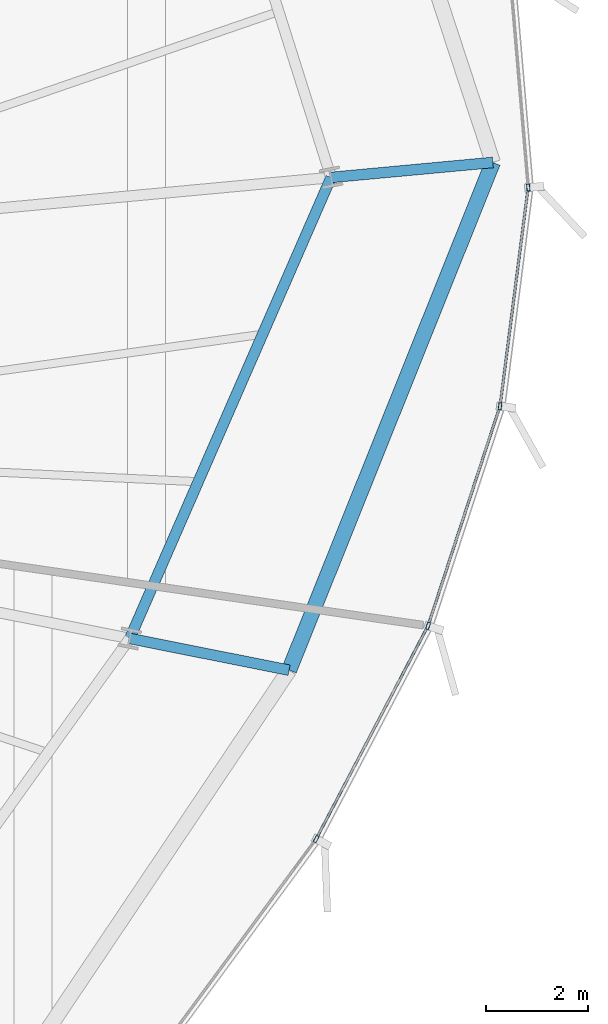
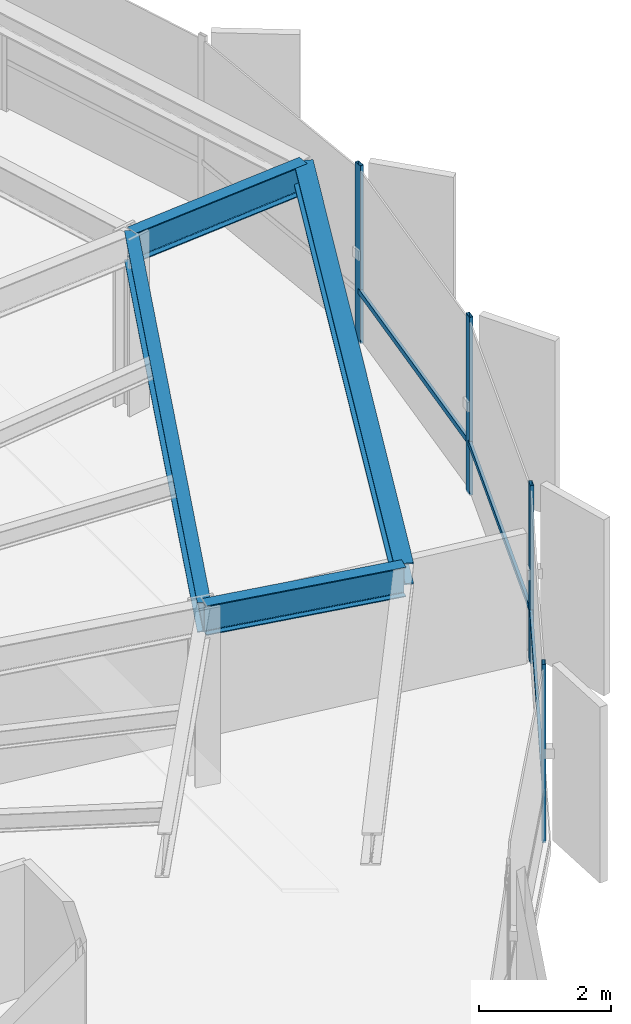
# One storey, part 16 of 35: 7 members, 4 beams, 1 element without a shape of its own.
"""IFC4 building model written with IfcOpenShell, lengths in metres."""

from ifc_helpers import new_model, si_unit, direction, frame, origin, origin_2d, place, context, subcontext, project, spatial, hollow_rectangle, i_section, extrude, source, transform, mapped, material, layer, layer_set, material_profile, profile_set, type_object, element, aggregate, save


model = new_model("IFC4")

# Units and contexts
model_context = context("Model", 3, precision=1e-05, world=origin(), true_north=direction((0.0, 1.0)))
body_context = subcontext(model_context, "Body", "Model", "MODEL_VIEW")
ifc_project = project(units=[si_unit("LENGTHUNIT", "METRE"), si_unit("AREAUNIT", "SQUARE_METRE"), si_unit("VOLUMEUNIT", "CUBIC_METRE"), si_unit("PLANEANGLEUNIT", "RADIAN"), si_unit("MASSUNIT", "GRAM", prefix="KILO"), si_unit("THERMODYNAMICTEMPERATUREUNIT", "KELVIN")], contexts=[model_context])

# Site, building, storey
site_placement = place(None, origin())
site = spatial("IfcSite", under=ifc_project, at=site_placement, CompositionType="ELEMENT")
building_placement = place(site_placement, origin())
building = spatial("IfcBuilding", under=site, at=building_placement, Name="Kethvar Cultural Tower", CompositionType="ELEMENT")
storey_placement = place(building_placement, frame((0.0, 0.0, 135.89990234375)))
storey = spatial("IfcBuildingStorey", under=building, at=storey_placement, Name="L34", CompositionType="ELEMENT", Elevation=135.89990234375)

# Beams
ifc_material_1 = material(Name="Steel S355J2", Category="steel")
ifc_material_profile_1 = material_profile(ifc_material_1, i_section(OverallWidth=0.2099609375, OverallDepth=0.550048828125, WebThickness=0.010986328125, FlangeThickness=0.01708984375, FilletRadius=0.02392578125, at=origin_2d()), Name="Steel S355J2 — IPE550")
ifc_profile_set_1 = profile_set([ifc_material_profile_1], Name="Steel S355J2 — IPE550")
beam_type_1 = type_object("IfcBeamType", Name="BM-IPE550", PredefinedType="BEAM", material=ifc_profile_set_1)
shared_shape_1 = source(origin(), body_context, "Body", "SweptSolid", [
    extrude(i_section(OverallWidth=0.2099609375, OverallDepth=0.550048828125, WebThickness=0.010986328125, FlangeThickness=0.01708984375, FilletRadius=0.02392578125, at=origin_2d()), origin(), (0.0, 0.0, 1.0), 3.199951171875),
])
for number, where, z_axis, x_axis, name in (
    (1, (71.6025390625, 32.7333984375, 3.023193359375), (0.995729641608, 0.092317283453, 0.0), (-0.092317283453, 0.995729641608, 0.0), "L34 Perimeter Cantilever Beam RC-01"),
    (2, (67.638671875, 23.65478515625, 3.023193359375), (0.980785550224, -0.195088965533, 0.0), (0.195088965533, 0.980785550224, 0.0), "L34 Perimeter Cantilever Beam RC-16"),
):
    element("IfcBeam", number, at=place(storey_placement, frame(where, z_axis=z_axis, x_axis=x_axis)), inside=storey, type_object=beam_type_1, Name=name, PredefinedType="BEAM", context=body_context, shape_type="MappedRepresentation", body=[
        mapped(shared_shape_1, transform((0.0, 0.0, 0.0), scale=1.0)),
    ])
shared_shape_2 = source(origin(), body_context, "Body", "SweptSolid", [
    extrude(i_section(OverallWidth=0.2099609375, OverallDepth=0.550048828125, WebThickness=0.010986328125, FlangeThickness=0.01708984375, FilletRadius=0.02392578125, at=origin_2d()), origin(), (0.0, 0.0, 1.0), 9.90625),
])
beam_1_placement = place(storey_placement, frame((67.638671875, 23.65478515625, 3.023193359375), z_axis=(0.400138679026, 0.916454602011, 0.0), x_axis=(-0.916454602011, 0.400138679026, 0.0)))
element("IfcBeam", 3, at=beam_1_placement, inside=storey, type_object=beam_type_1, Name="L34 Column Ring Tie Beam CR-16", PredefinedType="BEAM", context=body_context, shape_type="MappedRepresentation", body=[
    mapped(shared_shape_2, transform((0.0, 0.0, 0.0), scale=1.0)),
])
ifc_material_profile_2 = material_profile(ifc_material_1, i_section(OverallWidth=0.300048828125, OverallDepth=0.39990234375, WebThickness=0.013427734375, FlangeThickness=0.02392578125, FilletRadius=0.027099609375, at=origin_2d()), Name="Steel S355J2 — HEB400")
ifc_profile_set_2 = profile_set([ifc_material_profile_2], Name="Steel S355J2 — HEB400")
beam_type_2 = type_object("IfcBeamType", Name="BM-SP400", PredefinedType="SPANDREL", material=ifc_profile_set_2)
shared_shape_3 = source(origin(), body_context, "Body", "SweptSolid", [
    extrude(i_section(OverallWidth=0.300048828125, OverallDepth=0.39990234375, WebThickness=0.013427734375, FlangeThickness=0.02392578125, FilletRadius=0.027099609375, at=origin_2d()), origin(), (0.0, 0.0, 1.0), 10.773193359375),
])
beam_2_placement = place(storey_placement, frame((70.777099609375, 23.030517578125, 3.09814453125), z_axis=(0.372382905959, 0.928079183771, 0.0), x_axis=(-0.928079183771, 0.372382905959, 0.0)))
element("IfcBeam", 4, at=beam_2_placement, inside=storey, type_object=beam_type_2, Name="L34 Perimeter Spandrel Beam SP-16", PredefinedType="SPANDREL", context=body_context, shape_type="MappedRepresentation", body=[
    mapped(shared_shape_3, transform((0.0, 0.0, 0.0), scale=1.0)),
])

# Curtain wall, members
ifc_material_2 = material(Name="Aluminium 6063-T6", Category="aluminium")
ifc_layer = layer(ifc_material_2, 0.179931640625, Name="Aluminium 6063-T6", Category="aluminium")
ifc_layer_set = layer_set([ifc_layer], Name="Aluminium 6063-T6 (180 mm)")
curtain_wall_type = type_object("IfcCurtainWallType", Name="CW-SYS-04-Z34", PredefinedType="NOTDEFINED", material=ifc_layer_set)
curtain_wall_placement = place(storey_placement, origin())
curtain_wall = element("IfcCurtainWall", 5, at=curtain_wall_placement, inside=storey, type_object=curtain_wall_type, Name="L34 Curtain Wall Run 06", PredefinedType="NOTDEFINED")
ifc_material_profile_3 = material_profile(ifc_material_2, hollow_rectangle(XDim=0.06005859375, YDim=0.139892578125, WallThickness=0.0048828125, at=origin_2d()), Name="Aluminium 6063-T6 — RHS140x60x5")
ifc_profile_set_3 = profile_set([ifc_material_profile_3], Name="Aluminium 6063-T6 — RHS140x60x5")
member_type_1 = type_object("IfcMemberType", Name="CW-SYS-04-Z34-MUL", PredefinedType="MULLION", material=ifc_profile_set_3)
shared_shape_4 = source(origin(), body_context, "Body", "SweptSolid", [
    extrude(hollow_rectangle(XDim=0.06005859375, YDim=0.139892578125, WallThickness=0.0048828125, at=origin_2d()), origin(), (0.0, 0.0, 1.0), 3.300048828125),
])
member_1_placement = place(storey_placement, frame((71.309326171875, 19.70654296875, 0.0), z_axis=(0.0, 0.0, 1.0), x_axis=(-0.885523399618, 0.46459477906, 0.0)))
member_1 = element("IfcMember", 6, at=member_1_placement, type_object=member_type_1, Name="CW-L34-R06 Mullion 2", PredefinedType="MULLION", context=body_context, shape_type="MappedRepresentation", body=[
    mapped(shared_shape_4, transform((0.0, 0.0, 0.0), scale=1.0)),
])
member_2_placement = place(storey_placement, frame((73.512939453125, 23.903564453125, 0.0), z_axis=(0.0, 0.0, 1.0), x_axis=(-0.950439790681, 0.310908675161, 0.0)))
member_2 = element("IfcMember", 7, at=member_2_placement, type_object=member_type_1, Name="CW-L34-R06 Mullion 3", PredefinedType="MULLION", context=body_context, shape_type="MappedRepresentation", body=[
    mapped(shared_shape_4, transform((0.0, 0.0, 0.0), scale=1.0)),
])
member_3_placement = place(storey_placement, frame((74.9296875, 28.228515625, 0.0), z_axis=(0.0, 0.0, 1.0), x_axis=(-0.991854475119, 0.127376215155, 0.0)))
member_3 = element("IfcMember", 8, at=member_3_placement, type_object=member_type_1, Name="CW-L34-R06 Mullion 4", PredefinedType="MULLION", context=body_context, shape_type="MappedRepresentation", body=[
    mapped(shared_shape_4, transform((0.0, 0.0, 0.0), scale=1.0)),
])
member_4_placement = place(storey_placement, frame((75.4853515625, 32.534423828125, 0.0), z_axis=(0.0, 0.0, 1.0), x_axis=(-0.996373566732, -0.085086517835, 0.0)))
member_4 = element("IfcMember", 9, at=member_4_placement, type_object=member_type_1, Name="CW-L34-R06 Mullion 5", PredefinedType="MULLION", context=body_context, shape_type="MappedRepresentation", body=[
    mapped(shared_shape_4, transform((0.0, 0.0, 0.0), scale=1.0)),
])
ifc_material_profile_4 = material_profile(ifc_material_2, hollow_rectangle(XDim=0.050048828125, YDim=0.10009765625, WallThickness=0.00390625, at=origin_2d()), Name="Aluminium 6063-T6 — RHS100x50x4")
ifc_profile_set_4 = profile_set([ifc_material_profile_4], Name="Aluminium 6063-T6 — RHS100x50x4")
member_type_2 = type_object("IfcMemberType", Name="CW-SYS-04-Z34-TRN", PredefinedType="USERDEFINED", material=ifc_profile_set_4)
shared_shape_5 = source(origin(), body_context, "Body", "SweptSolid", [
    extrude(hollow_rectangle(XDim=0.050048828125, YDim=0.10009765625, WallThickness=0.00390625, at=origin_2d()), origin(), (0.0, 0.0, 1.0), 4.2783203125),
])
member_5_placement = place(storey_placement, frame((74.935302734375, 28.271484375, 0.9501953125), z_axis=(0.127370169798, 0.991855251458, 0.0), x_axis=(-0.991855251458, 0.127370169798, 0.0)))
member_5 = element("IfcMember", 10, at=member_5_placement, type_object=member_type_2, Name="CW-L34-R06 Transom 4", ObjectType="TRANSOM", PredefinedType="USERDEFINED", context=body_context, shape_type="MappedRepresentation", body=[
    mapped(shared_shape_5, transform((0.0, 0.0, 0.0), scale=1.0)),
])
shared_shape_6 = source(origin(), body_context, "Body", "SweptSolid", [
    extrude(hollow_rectangle(XDim=0.050048828125, YDim=0.10009765625, WallThickness=0.00390625, at=origin_2d()), origin(), (0.0, 0.0, 1.0), 4.4853515625),
])
member_6_placement = place(storey_placement, frame((73.5263671875, 23.944580078125, 0.9501953125), z_axis=(0.31089961169, 0.950442755484, 0.0), x_axis=(-0.950442755484, 0.31089961169, 0.0)))
member_6 = element("IfcMember", 11, at=member_6_placement, type_object=member_type_2, Name="CW-L34-R06 Transom 3", ObjectType="TRANSOM", PredefinedType="USERDEFINED", context=body_context, shape_type="MappedRepresentation", body=[
    mapped(shared_shape_6, transform((0.0, 0.0, 0.0), scale=1.0)),
])
shared_shape_7 = source(origin(), body_context, "Body", "SweptSolid", [
    extrude(hollow_rectangle(XDim=0.050048828125, YDim=0.10009765625, WallThickness=0.00390625, at=origin_2d()), origin(), (0.0, 0.0, 1.0), 4.672119140625),
])
member_7_placement = place(storey_placement, frame((71.329345703125, 19.744873046875, 0.9501953125), z_axis=(0.464602433582, 0.885519383588, 0.0), x_axis=(-0.885519383588, 0.464602433582, 0.0)))
member_7 = element("IfcMember", 12, at=member_7_placement, type_object=member_type_2, Name="CW-L34-R06 Transom 2", ObjectType="TRANSOM", PredefinedType="USERDEFINED", context=body_context, shape_type="MappedRepresentation", body=[
    mapped(shared_shape_7, transform((0.0, 0.0, 0.0), scale=1.0)),
])
aggregate(curtain_wall, [member_1, member_2, member_3, member_4, member_7, member_6, member_5])

save(model, "model.ifc")
